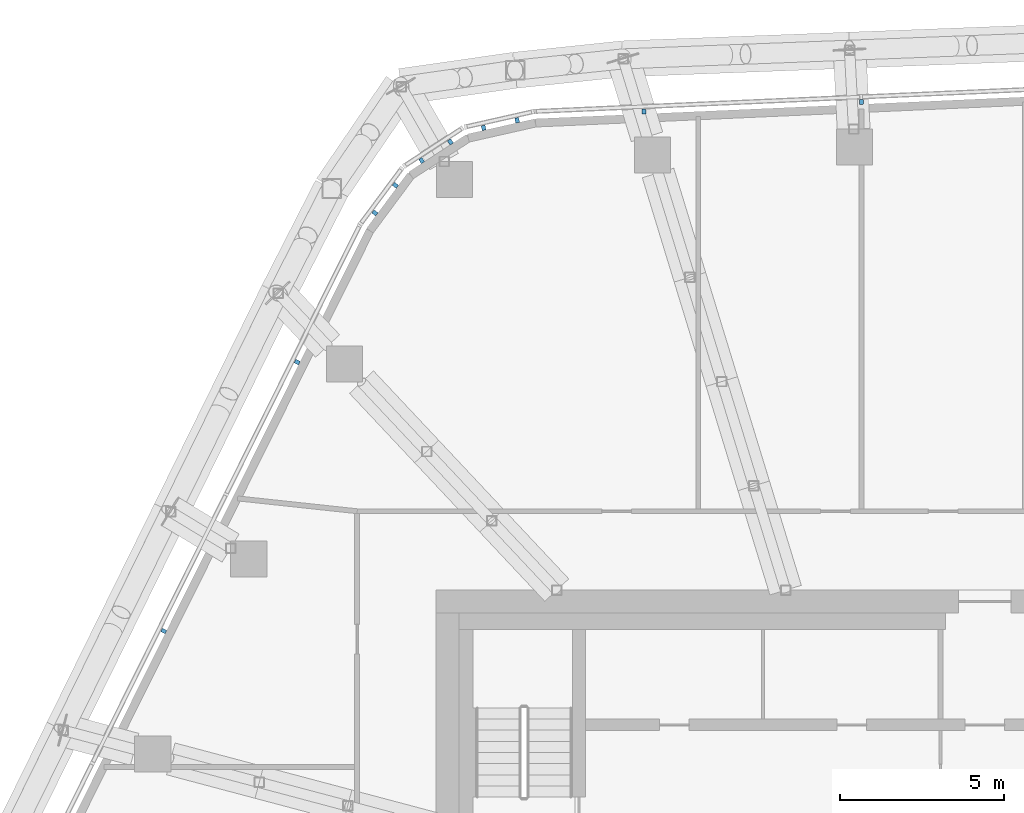
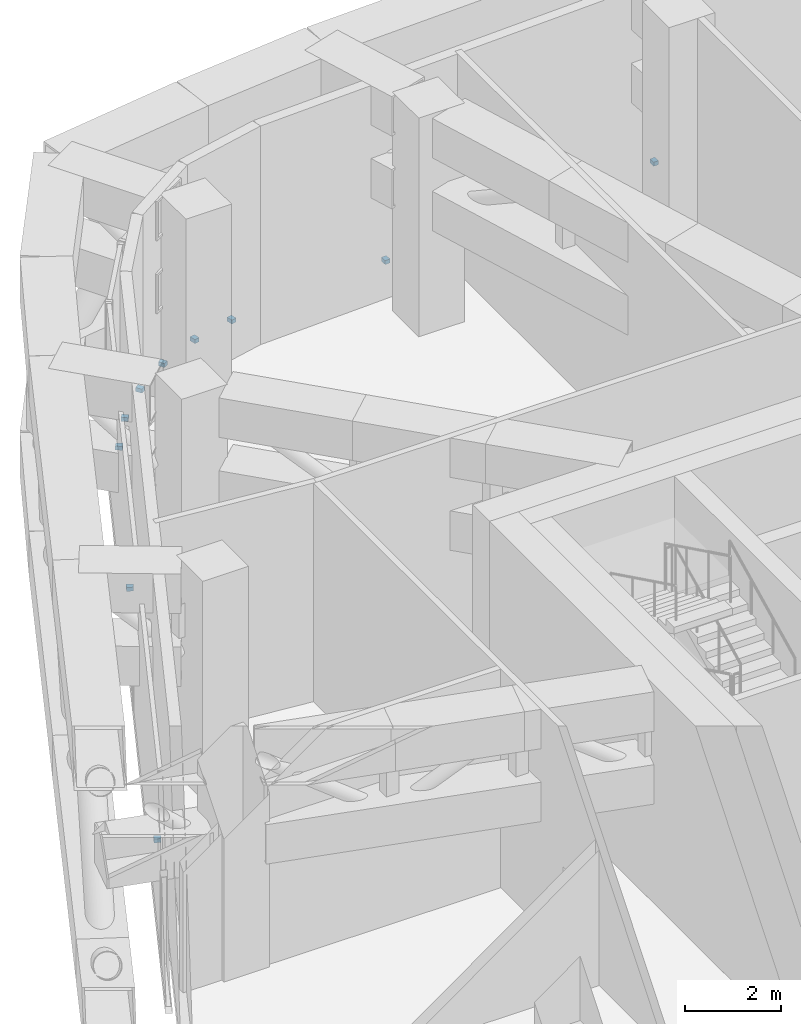
# One storey, part 23 of 31: 10 discrete accessories, 3 elements without a shape of their own.
"""IFC4 building model written with IfcOpenShell, lengths in metres."""

from ifc_helpers import new_model, si_unit, direction, frame, origin, origin_2d, place, context, subcontext, project, spatial, rectangle, extrude, material, layer, layer_set, type_object, element, aggregate, save


model = new_model("IFC4")

# Units and contexts
model_context = context("Model", 3, precision=1e-05, world=origin(), true_north=direction((0.0, 1.0)))
body_context = subcontext(model_context, "Body", "Model", "MODEL_VIEW")
ifc_project = project(units=[si_unit("LENGTHUNIT", "METRE"), si_unit("AREAUNIT", "SQUARE_METRE"), si_unit("VOLUMEUNIT", "CUBIC_METRE"), si_unit("PLANEANGLEUNIT", "RADIAN"), si_unit("MASSUNIT", "GRAM", prefix="KILO")], contexts=[model_context])

# Site, building, storey
site_placement = place(None, origin())
site = spatial("IfcSite", under=ifc_project, at=site_placement, CompositionType="ELEMENT")
building_placement = place(site_placement, origin())
building = spatial("IfcBuilding", under=site, at=building_placement, Name="Dongbaek Canopy Tower", CompositionType="ELEMENT")
storey_placement = place(building_placement, frame((0.0, 0.0, 283.199951171875)))
storey = spatial("IfcBuildingStorey", under=building, at=storey_placement, Name="L60", CompositionType="ELEMENT", Elevation=283.199951171875)

# Curtain wall, discrete accessories
ifc_material_1 = material(Name="Aluminium 6063-T6 pale anodised", Category="aluminium")
ifc_layer = layer(ifc_material_1, 0.14990234375)
ifc_layer_set = layer_set([ifc_layer], Name="CW-7 louvre curtain wall")
curtain_wall_type = type_object("IfcCurtainWallType", Name="CW-7 louvre curtain wall", PredefinedType="NOTDEFINED", material=ifc_layer_set)
curtain_wall_1_placement = place(storey_placement, origin())
curtain_wall_1 = element("IfcCurtainWall", 1, at=curtain_wall_1_placement, inside=storey, type_object=curtain_wall_type, Name="CW-7 louvre wall L60 F1", PredefinedType="NOTDEFINED")
ifc_material_2 = material(Name="Galvanised steel S355 bracket", Category="steel")
discrete_accessory_type = type_object("IfcDiscreteAccessoryType", Name="Louvre bracket BR1", PredefinedType="BRACKET", material=ifc_material_2)
discrete_accessory_1_placement = place(storey_placement, frame((-1.060302734375, 25.856689453125, 0.6650390625), z_axis=(0.0, 0.0, 1.0), x_axis=(-0.999013132127, -0.044415783654, 0.0)))
discrete_accessory_1 = element("IfcDiscreteAccessory", 2, at=discrete_accessory_1_placement, type_object=discrete_accessory_type, Name="Louvre bracket L60 F1.1.2", PredefinedType="BRACKET", context=body_context, shape_type="SweptSolid", body=[
    extrude(rectangle(XDim=0.1201171875, YDim=0.14990234375, at=origin_2d()), origin(), (0.0, 0.0, 1.0), 0.10009765625),
])
discrete_accessory_2_placement = place(storey_placement, frame((-7.678466796875, 25.5625, 0.6650390625), z_axis=(0.0, 0.0, 1.0), x_axis=(-0.999013132127, -0.044415783654, 0.0)))
discrete_accessory_2 = element("IfcDiscreteAccessory", 3, at=discrete_accessory_2_placement, type_object=discrete_accessory_type, Name="Louvre bracket L60 F1.1.3", PredefinedType="BRACKET", context=body_context, shape_type="SweptSolid", body=[
    extrude(rectangle(XDim=0.1201171875, YDim=0.14990234375, at=origin_2d()), origin(), (0.0, 0.0, 1.0), 0.10009765625),
])
aggregate(curtain_wall_1, [discrete_accessory_1, discrete_accessory_2])

curtain_wall_2_placement = place(storey_placement, origin())
curtain_wall_2 = element("IfcCurtainWall", 4, at=curtain_wall_2_placement, inside=storey, type_object=curtain_wall_type, Name="CW-7 louvre wall L60 K2", PredefinedType="NOTDEFINED")
discrete_accessory_3_placement = place(storey_placement, frame((-11.532958984375, 25.295654296875, 0.6650390625), z_axis=(0.0, 0.0, 1.0), x_axis=(-0.975465773288, -0.22015114159, 0.0)))
discrete_accessory_3 = element("IfcDiscreteAccessory", 5, at=discrete_accessory_3_placement, type_object=discrete_accessory_type, Name="Louvre bracket L60 K2.1.1", PredefinedType="BRACKET", context=body_context, shape_type="SweptSolid", body=[
    extrude(rectangle(XDim=0.1201171875, YDim=0.14990234375, at=origin_2d()), origin(), (0.0, 0.0, 1.0), 0.10009765625),
])
discrete_accessory_4_placement = place(storey_placement, frame((-12.553466796875, 25.065185546875, 0.6650390625), z_axis=(0.0, 0.0, 1.0), x_axis=(-0.975465773288, -0.22015114159, 0.0)))
discrete_accessory_4 = element("IfcDiscreteAccessory", 6, at=discrete_accessory_4_placement, type_object=discrete_accessory_type, Name="Louvre bracket L60 K2.1.2", PredefinedType="BRACKET", context=body_context, shape_type="SweptSolid", body=[
    extrude(rectangle(XDim=0.1201171875, YDim=0.14990234375, at=origin_2d()), origin(), (0.0, 0.0, 1.0), 0.10009765625),
])
discrete_accessory_5_placement = place(storey_placement, frame((-13.565185546875, 24.638427734375, 0.6650390625), z_axis=(0.0, 0.0, 1.0), x_axis=(-0.838077079617, -0.545551838618, 0.0)))
discrete_accessory_5 = element("IfcDiscreteAccessory", 7, at=discrete_accessory_5_placement, type_object=discrete_accessory_type, Name="Louvre bracket L60 K2.2.1", PredefinedType="BRACKET", context=body_context, shape_type="SweptSolid", body=[
    extrude(rectangle(XDim=0.1201171875, YDim=0.14990234375, at=origin_2d()), origin(), (0.0, 0.0, 1.0), 0.10009765625),
])
discrete_accessory_6_placement = place(storey_placement, frame((-14.438232421875, 24.070068359375, 0.6650390625), z_axis=(0.0, 0.0, 1.0), x_axis=(-0.838077079617, -0.545551838618, 0.0)))
discrete_accessory_6 = element("IfcDiscreteAccessory", 8, at=discrete_accessory_6_placement, type_object=discrete_accessory_type, Name="Louvre bracket L60 K2.2.2", PredefinedType="BRACKET", context=body_context, shape_type="SweptSolid", body=[
    extrude(rectangle(XDim=0.1201171875, YDim=0.14990234375, at=origin_2d()), origin(), (0.0, 0.0, 1.0), 0.10009765625),
])
discrete_accessory_7_placement = place(storey_placement, frame((-15.238037109375, 23.317626953125, 0.6650390625), z_axis=(0.0, 0.0, 1.0), x_axis=(-0.596128827825, -0.80288879718, 0.0)))
discrete_accessory_7 = element("IfcDiscreteAccessory", 9, at=discrete_accessory_7_placement, type_object=discrete_accessory_type, Name="Louvre bracket L60 K2.3.1", PredefinedType="BRACKET", context=body_context, shape_type="SweptSolid", body=[
    extrude(rectangle(XDim=0.1201171875, YDim=0.14990234375, at=origin_2d()), origin(), (0.0, 0.0, 1.0), 0.10009765625),
])
discrete_accessory_8_placement = place(storey_placement, frame((-15.86181640625, 22.4775390625, 0.6650390625), z_axis=(0.0, 0.0, 1.0), x_axis=(-0.596128827825, -0.80288879718, 0.0)))
discrete_accessory_8 = element("IfcDiscreteAccessory", 10, at=discrete_accessory_8_placement, type_object=discrete_accessory_type, Name="Louvre bracket L60 K2.3.2", PredefinedType="BRACKET", context=body_context, shape_type="SweptSolid", body=[
    extrude(rectangle(XDim=0.1201171875, YDim=0.14990234375, at=origin_2d()), origin(), (0.0, 0.0, 1.0), 0.10009765625),
])
aggregate(curtain_wall_2, [discrete_accessory_3, discrete_accessory_4, discrete_accessory_5, discrete_accessory_6, discrete_accessory_7, discrete_accessory_8])

curtain_wall_3_placement = place(storey_placement, origin())
curtain_wall_3 = element("IfcCurtainWall", 11, at=curtain_wall_3_placement, inside=storey, type_object=curtain_wall_type, Name="CW-7 louvre wall L60 F2", PredefinedType="NOTDEFINED")
discrete_accessory_9_placement = place(storey_placement, frame((-18.224365234375, 17.93701171875, 0.6650390625), z_axis=(0.0, 0.0, 1.0), x_axis=(-0.444962031451, -0.895549435021, 0.0)))
discrete_accessory_9 = element("IfcDiscreteAccessory", 12, at=discrete_accessory_9_placement, type_object=discrete_accessory_type, Name="Louvre bracket L60 F2.1.1", PredefinedType="BRACKET", context=body_context, shape_type="SweptSolid", body=[
    extrude(rectangle(XDim=0.1201171875, YDim=0.14990234375, at=origin_2d()), origin(), (0.0, 0.0, 1.0), 0.10009765625),
])
discrete_accessory_10_placement = place(storey_placement, frame((-22.2890625, 9.756591796875, 0.6650390625), z_axis=(0.0, 0.0, 1.0), x_axis=(-0.444962031451, -0.895549435021, 0.0)))
discrete_accessory_10 = element("IfcDiscreteAccessory", 13, at=discrete_accessory_10_placement, type_object=discrete_accessory_type, Name="Louvre bracket L60 F2.1.2", PredefinedType="BRACKET", context=body_context, shape_type="SweptSolid", body=[
    extrude(rectangle(XDim=0.1201171875, YDim=0.14990234375, at=origin_2d()), origin(), (0.0, 0.0, 1.0), 0.10009765625),
])
aggregate(curtain_wall_3, [discrete_accessory_9, discrete_accessory_10])

save(model, "model.ifc")
